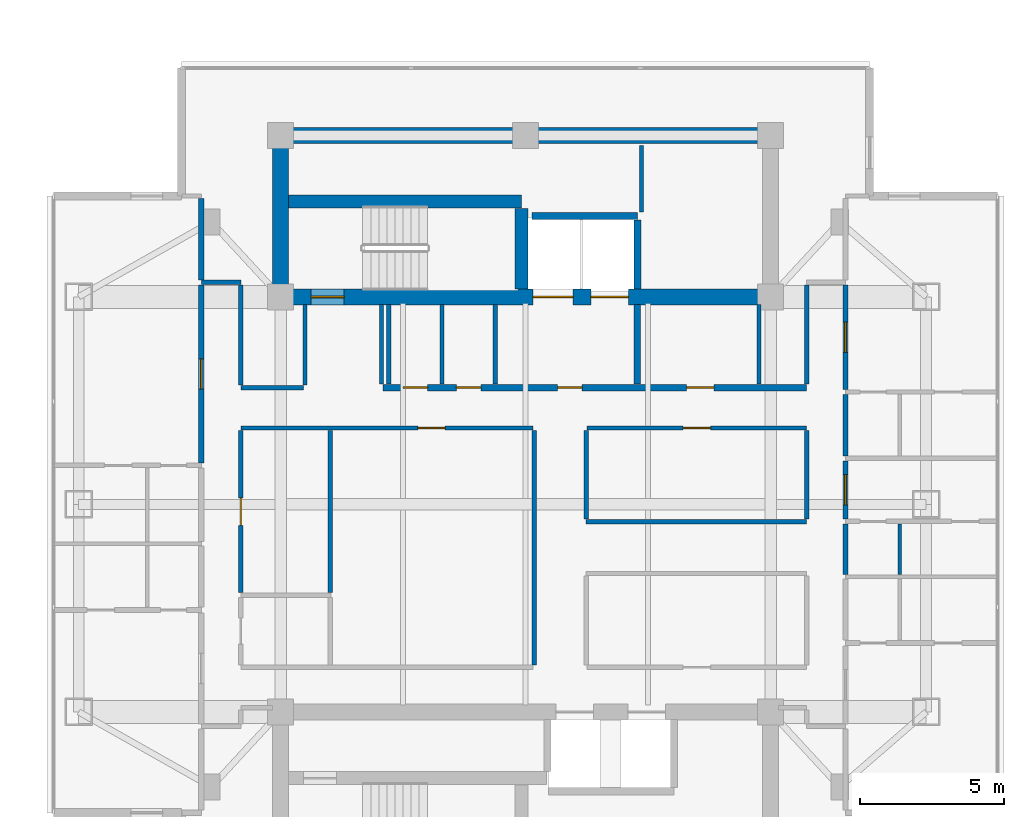
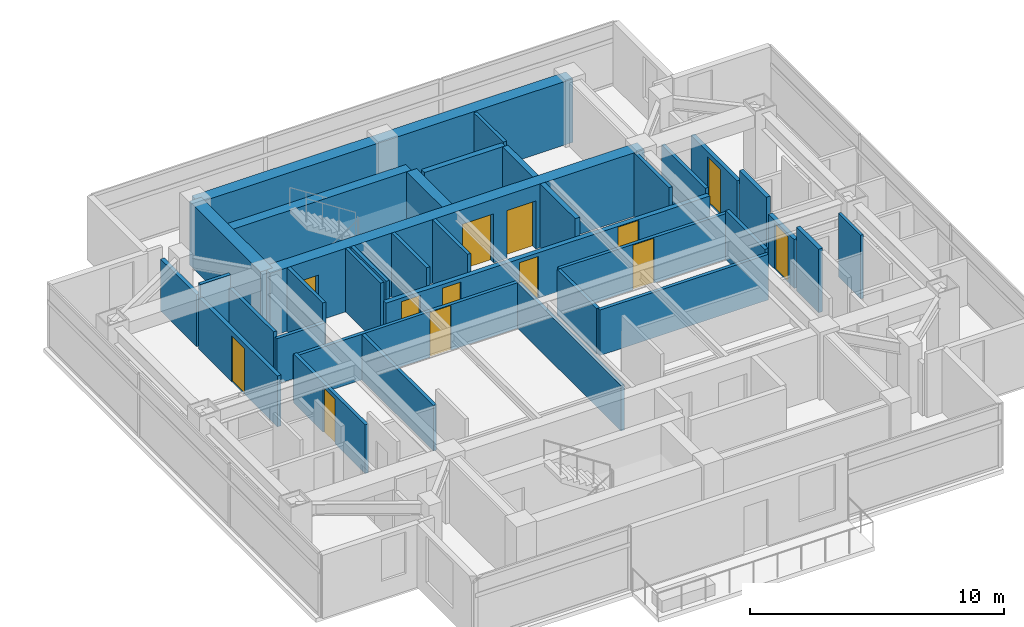
# One storey, part 16 of 23: 35 walls, 13 doors, 13 openings.
"""IFC4 building model written with IfcOpenShell, lengths in metres."""

from ifc_helpers import new_model, si_unit, direction, frame, frame_2d, origin, place, context, subcontext, project, spatial, rectangle, extrude, material, layer, layer_set, type_object, element, fill, save


model = new_model("IFC4")

# Units and contexts
model_context = context("Model", 3, precision=1e-05, world=origin(), true_north=direction((0.0, 1.0)))
body_context = subcontext(model_context, "Body", "Model", "MODEL_VIEW")
ifc_project = project(units=[si_unit("LENGTHUNIT", "METRE"), si_unit("AREAUNIT", "SQUARE_METRE"), si_unit("VOLUMEUNIT", "CUBIC_METRE"), si_unit("PLANEANGLEUNIT", "RADIAN"), si_unit("MASSUNIT", "GRAM", prefix="KILO")], contexts=[model_context])

# Site, building, storey
site_placement = place(None, origin())
site = spatial("IfcSite", under=ifc_project, at=site_placement, CompositionType="ELEMENT")
building_placement = place(site_placement, origin())
building = spatial("IfcBuilding", under=site, at=building_placement, Name="Mirazonda Arch Towers", CompositionType="ELEMENT")
storey_placement = place(building_placement, frame((0.0, 0.0, 183.64990234375)))
storey = spatial("IfcBuildingStorey", under=building, at=storey_placement, Name="L52", CompositionType="ELEMENT", Elevation=183.64990234375)

# Walls
ifc_material_1 = material(Name="Concrete C50/60", Category="concrete")
ifc_layer_1 = layer(ifc_material_1, 0.449951171875, Name="WALL-CORE-450")
ifc_layer_set_1 = layer_set([ifc_layer_1], Name="Concrete C50/60")
wall_type_1 = type_object("IfcWallType", Name="WALL-CORE-450", PredefinedType="SHEAR", material=ifc_layer_set_1)
wall_1_placement = place(storey_placement, frame((68.27001953125, 38.5, 0.0), z_axis=(0.0, 0.0, 1.0), x_axis=(1.0, 0.0, 0.0)))
element("IfcWall", 1, at=wall_1_placement, inside=storey, type_object=wall_type_1, Name="L52 Stair Core Shear Wall 053", PredefinedType="SHEAR", context=body_context, shape_type="SweptSolid", body=[
    extrude(rectangle(XDim=8.090087890625, YDim=0.449951171875, at=frame_2d((4.044921875, 0.0))), origin(), (0.0, 0.0, 1.0), 3.050048828125),
])
wall_2_placement = place(storey_placement, frame((76.360107421875, 35.469970703125, 0.0), z_axis=(0.0, 0.0, 1.0), x_axis=(0.0, 1.0, 0.0)))
element("IfcWall", 2, at=wall_2_placement, inside=storey, type_object=wall_type_1, Name="L52 Stair Core Shear Wall 142", PredefinedType="SHEAR", context=body_context, shape_type="SweptSolid", body=[
    extrude(rectangle(XDim=2.794921875, YDim=0.449951171875, at=frame_2d((1.3974609375, 0.0))), origin(), (0.0, 0.0, 1.0), 3.050048828125),
])
ifc_layer_2 = layer(ifc_material_1, 0.550048828125, Name="WALL-CORE-550")
ifc_layer_set_2 = layer_set([ifc_layer_2], Name="Concrete C50/60")
wall_type_2 = type_object("IfcWallType", Name="WALL-CORE-550", PredefinedType="SHEAR", material=ifc_layer_set_2)
wall_3_placement = place(storey_placement, frame((68.0, 40.800048828125, 0.0), z_axis=(0.0, 0.0, 1.0), x_axis=(1.0, 0.0, 0.0)))
element("IfcWall", 3, at=wall_3_placement, inside=storey, type_object=wall_type_2, Name="L52 T2N-N Core Shear Wall", PredefinedType="SHEAR", context=body_context, shape_type="SweptSolid", body=[
    extrude(rectangle(XDim=17.0, YDim=0.550048828125, at=frame_2d((8.5, 0.0))), origin(), (0.0, 0.0, 1.0), 3.050048828125),
])
wall_4_placement = place(storey_placement, frame((68.0, 35.199951171875, 0.0), z_axis=(0.0, 0.0, 1.0), x_axis=(0.0, 1.0, 0.0)))
element("IfcWall", 4, at=wall_4_placement, inside=storey, type_object=wall_type_2, Name="L52 T2N-W Core Shear Wall", PredefinedType="SHEAR", context=body_context, shape_type="SweptSolid", body=[
    extrude(rectangle(XDim=5.60009765625, YDim=0.550048828125, at=frame_2d((2.800048828125, 0.0))), origin(), (0.0, 0.0, 1.0), 3.050048828125),
])

# Wall, openings, doors
wall_5_placement = place(storey_placement, frame((68.0, 35.199951171875, 0.0), z_axis=(0.0, 0.0, 1.0), x_axis=(1.0, 0.0, 0.0)))
wall_5 = element("IfcWall", 5, at=wall_5_placement, inside=storey, type_object=wall_type_2, Name="L52 T2N-S Core Shear Wall", PredefinedType="SHEAR", context=body_context, shape_type="SweptSolid", body=[
    extrude(rectangle(XDim=17.0, YDim=0.550048828125, at=frame_2d((8.5, 0.0))), origin(), (0.0, 0.0, 1.0), 3.050048828125),
])
opening_1_placement = place(wall_5_placement, frame((1.06005859375, 0.0, 0.0)))
opening_1 = element("IfcOpeningElement", 6, at=opening_1_placement, cuts=wall_5, Name="Opening DR-135", PredefinedType="OPENING", context=body_context, shape_type="SweptSolid", body=[
    extrude(rectangle(XDim=1.14990234375, YDim=2.199951171875, at=frame_2d((0.574951171875, 1.10009765625))), frame((0.0, 0.284912109375, 0.0), z_axis=(0.0, -1.0, 0.0), x_axis=(1.0, 0.0, 0.0)), (0.0, 0.0, 1.0), 0.570068359375),
])
opening_2_placement = place(wall_5_placement, frame((8.75, 0.0, 0.0)))
opening_2 = element("IfcOpeningElement", 7, at=opening_2_placement, cuts=wall_5, Name="Opening LD-112", PredefinedType="OPENING", context=body_context, shape_type="SweptSolid", body=[
    extrude(rectangle(XDim=1.39990234375, YDim=2.35009765625, at=frame_2d((0.699951171875, 1.175048828125))), frame((0.0, 0.284912109375, 0.0), z_axis=(0.0, -1.0, 0.0), x_axis=(1.0, 0.0, 0.0)), (0.0, 0.0, 1.0), 0.570068359375),
])
opening_3_placement = place(wall_5_placement, frame((10.77001953125, 0.0, 0.0)))
opening_3 = element("IfcOpeningElement", 8, at=opening_3_placement, cuts=wall_5, Name="Opening LD-111", PredefinedType="OPENING", context=body_context, shape_type="SweptSolid", body=[
    extrude(rectangle(XDim=1.300048828125, YDim=2.300048828125, at=frame_2d((0.64990234375, 1.14990234375))), frame((0.0, 0.284912109375, 0.0), z_axis=(0.0, -1.0, 0.0), x_axis=(1.0, 0.0, 0.0)), (0.0, 0.0, 1.0), 0.570068359375),
])
ifc_material_2 = material(Name="Architectural Brushed Steel S355", Category="steel")
door_type_1 = type_object("IfcDoorType", Name="DOOR-LIFT-FFL-1400", OperationType="NOTDEFINED", PredefinedType="DOOR", material=ifc_material_2)
door_1_placement = place(opening_2_placement, origin())
door_1 = element("IfcDoor", 9, at=door_1_placement, inside=storey, type_object=door_type_1, Name="L52 Lift Landing Sliding Door FFL-T2", OperationType="DOUBLE_DOOR_SLIDING", OverallHeight=2.35009765625, OverallWidth=1.39990234375, PredefinedType="DOOR", context=body_context, shape_type="SweptSolid", body=[
    extrude(rectangle(XDim=1.39990234375, YDim=2.35009765625, at=frame_2d((0.699951171875, 1.175048828125))), frame((0.0, 0.02490234375, 0.0), z_axis=(0.0, -1.0, 0.0), x_axis=(1.0, 0.0, 0.0)), (0.0, 0.0, 1.0), 0.050048828125),
])
fill(opening_2, door_1)
door_type_2 = type_object("IfcDoorType", Name="DOOR-LIFT-LAND-1300", OperationType="NOTDEFINED", PredefinedType="DOOR", material=ifc_material_2)
door_2_placement = place(opening_3_placement, origin())
door_2 = element("IfcDoor", 10, at=door_2_placement, inside=storey, type_object=door_type_2, Name="L52 Lift Landing Sliding Door SVL-T2", OperationType="DOUBLE_DOOR_SLIDING", OverallHeight=2.300048828125, OverallWidth=1.300048828125, PredefinedType="DOOR", context=body_context, shape_type="SweptSolid", body=[
    extrude(rectangle(XDim=1.300048828125, YDim=2.300048828125, at=frame_2d((0.64990234375, 1.14990234375))), frame((0.0, 0.02490234375, 0.0), z_axis=(0.0, -1.0, 0.0), x_axis=(1.0, 0.0, 0.0)), (0.0, 0.0, 1.0), 0.050048828125),
])
fill(opening_3, door_2)
door_type_3 = type_object("IfcDoorType", Name="DOOR-STAIR-FD90-1150", OperationType="NOTDEFINED", PredefinedType="DOOR", material=ifc_material_2)
door_3_placement = place(opening_1_placement, origin())
door_3 = element("IfcDoor", 11, at=door_3_placement, inside=storey, type_object=door_type_3, Name="L52 East Protected Stair North Door", OperationType="SINGLE_SWING_LEFT", OverallHeight=2.199951171875, OverallWidth=1.14990234375, PredefinedType="DOOR", context=body_context, shape_type="SweptSolid", body=[
    extrude(rectangle(XDim=1.14990234375, YDim=2.199951171875, at=frame_2d((0.574951171875, 1.10009765625))), frame((0.0, 0.02490234375, 0.0), z_axis=(0.0, -1.0, 0.0), x_axis=(1.0, 0.0, 0.0)), (0.0, 0.0, 1.0), 0.050048828125),
])
fill(opening_1, door_3)

ifc_material_3 = material(Name="Concrete C40/50", Category="concrete")
ifc_layer_3 = layer(ifc_material_3, 0.219970703125, Name="WALL-FFL-220")
ifc_layer_set_3 = layer_set([ifc_layer_3], Name="Concrete C40/50")
wall_type_3 = type_object("IfcWallType", Name="WALL-FFL-220", PredefinedType="SOLIDWALL", material=ifc_layer_set_3)
wall_6_placement = place(storey_placement, frame((71.550048828125, 32.050048828125, 0.0), z_axis=(0.0, 0.0, 1.0), x_axis=(1.0, 0.0, 0.0)))
wall_6 = element("IfcWall", 12, at=wall_6_placement, inside=storey, type_object=wall_type_3, Name="L52 Interior Partition 044", PredefinedType="SOLIDWALL", context=body_context, shape_type="SweptSolid", body=[
    extrude(rectangle(XDim=14.699951171875, YDim=0.219970703125, at=frame_2d((7.35009765625, 0.0))), origin(), (0.0, 0.0, 1.0), 2.18603515625),
])
opening_4_placement = place(wall_6_placement, frame((6.06494140625, 0.0, 0.0)))
opening_4 = element("IfcOpeningElement", 13, at=opening_4_placement, cuts=wall_6, Name="Opening DR-128", PredefinedType="OPENING", context=body_context, shape_type="SweptSolid", body=[
    extrude(rectangle(XDim=0.85009765625, YDim=2.010009765625, at=frame_2d((0.425048828125, 1.0048828125))), frame((0.0, 0.119873046875, 0.0), z_axis=(0.0, -1.0, 0.0), x_axis=(1.0, 0.0, 0.0)), (0.0, 0.0, 1.0), 0.239990234375),
])
opening_5_placement = place(wall_6_placement, frame((10.534912109375, 0.0, 0.0)))
opening_5 = element("IfcOpeningElement", 14, at=opening_5_placement, cuts=wall_6, Name="Opening DR-104", PredefinedType="OPENING", context=body_context, shape_type="SweptSolid", body=[
    extrude(rectangle(XDim=0.949951171875, YDim=2.14990234375, at=frame_2d((0.47509765625, 1.074951171875))), frame((0.0, 0.119873046875, 0.0), z_axis=(0.0, -1.0, 0.0), x_axis=(1.0, 0.0, 0.0)), (0.0, 0.0, 1.0), 0.239990234375),
])
opening_6_placement = place(wall_6_placement, frame((0.699951171875, 0.0, 0.0)))
opening_6 = element("IfcOpeningElement", 15, at=opening_6_placement, cuts=wall_6, Name="Opening DR-128", PredefinedType="OPENING", context=body_context, shape_type="SweptSolid", body=[
    extrude(rectangle(XDim=0.85009765625, YDim=2.010009765625, at=frame_2d((0.425048828125, 1.0048828125))), frame((0.0, 0.119873046875, 0.0), z_axis=(0.0, -1.0, 0.0), x_axis=(1.0, 0.0, 0.0)), (0.0, 0.0, 1.0), 0.239990234375),
])
opening_7_placement = place(wall_6_placement, frame((2.550048828125, 0.0, 0.0)))
opening_7 = element("IfcOpeningElement", 16, at=opening_7_placement, cuts=wall_6, Name="Opening DR-128", PredefinedType="OPENING", context=body_context, shape_type="SweptSolid", body=[
    extrude(rectangle(XDim=0.85009765625, YDim=2.010009765625, at=frame_2d((0.425048828125, 1.0048828125))), frame((0.0, 0.119873046875, 0.0), z_axis=(0.0, -1.0, 0.0), x_axis=(1.0, 0.0, 0.0)), (0.0, 0.0, 1.0), 0.239990234375),
])
door_type_4 = type_object("IfcDoorType", Name="DOOR-RISER-FD60-850", OperationType="NOTDEFINED", PredefinedType="DOOR", material=ifc_material_2)
door_4_placement = place(opening_4_placement, origin())
door_4 = element("IfcDoor", 17, at=door_4_placement, inside=storey, type_object=door_type_4, Name="L52 East Firefighting Lift Lobby Door", OperationType="SINGLE_SWING_RIGHT", OverallHeight=2.010009765625, OverallWidth=0.85009765625, PredefinedType="DOOR", context=body_context, shape_type="SweptSolid", body=[
    extrude(rectangle(XDim=0.85009765625, YDim=2.010009765625, at=frame_2d((0.425048828125, 1.0048828125))), frame((0.0, 0.02490234375, 0.0), z_axis=(0.0, -1.0, 0.0), x_axis=(1.0, 0.0, 0.0)), (0.0, 0.0, 1.0), 0.050048828125),
])
fill(opening_4, door_4)
door_5_placement = place(opening_6_placement, origin())
door_5 = element("IfcDoor", 18, at=door_5_placement, inside=storey, type_object=door_type_4, Name="L52 Tower 2 Electrical Room Door", OperationType="SINGLE_SWING_RIGHT", OverallHeight=2.010009765625, OverallWidth=0.85009765625, PredefinedType="DOOR", context=body_context, shape_type="SweptSolid", body=[
    extrude(rectangle(XDim=0.85009765625, YDim=2.010009765625, at=frame_2d((0.425048828125, 1.0048828125))), frame((0.0, 0.02490234375, 0.0), z_axis=(0.0, -1.0, 0.0), x_axis=(1.0, 0.0, 0.0)), (0.0, 0.0, 1.0), 0.050048828125),
])
fill(opening_6, door_5)
door_6_placement = place(opening_7_placement, origin())
door_6 = element("IfcDoor", 19, at=door_6_placement, inside=storey, type_object=door_type_4, Name="L52 Tower 2 Cleaners Store Door", OperationType="SINGLE_SWING_LEFT", OverallHeight=2.010009765625, OverallWidth=0.85009765625, PredefinedType="DOOR", context=body_context, shape_type="SweptSolid", body=[
    extrude(rectangle(XDim=0.85009765625, YDim=2.010009765625, at=frame_2d((0.425048828125, 1.0048828125))), frame((0.0, 0.02490234375, 0.0), z_axis=(0.0, -1.0, 0.0), x_axis=(1.0, 0.0, 0.0)), (0.0, 0.0, 1.0), 0.050048828125),
])
fill(opening_7, door_6)
door_type_5 = type_object("IfcDoorType", Name="DOOR-ROOM-950", OperationType="NOTDEFINED", PredefinedType="DOOR", material=ifc_material_2)
door_7_placement = place(opening_5_placement, origin())
door_7 = element("IfcDoor", 20, at=door_7_placement, inside=storey, type_object=door_type_5, Name="L52 East Sky Reading Library Door", OperationType="SINGLE_SWING_LEFT", OverallHeight=2.14990234375, OverallWidth=0.949951171875, PredefinedType="DOOR", context=body_context, shape_type="SweptSolid", body=[
    extrude(rectangle(XDim=0.949951171875, YDim=2.14990234375, at=frame_2d((0.47509765625, 1.074951171875))), frame((0.0, 0.02490234375, 0.0), z_axis=(0.0, -1.0, 0.0), x_axis=(1.0, 0.0, 0.0)), (0.0, 0.0, 1.0), 0.050048828125),
])
fill(opening_5, door_7)

# Walls
wall_7_placement = place(storey_placement, frame((80.3798828125, 32.169921875, 0.0), z_axis=(0.0, 0.0, 1.0), x_axis=(0.0, 1.0, 0.0)))
element("IfcWall", 21, at=wall_7_placement, inside=storey, type_object=wall_type_3, Name="L52 Interior Partition 147", PredefinedType="SOLIDWALL", context=body_context, shape_type="SweptSolid", body=[
    extrude(rectangle(XDim=2.760009765625, YDim=0.219970703125, at=frame_2d((1.3798828125, 0.0))), origin(), (0.0, 0.0, 1.0), 3.050048828125),
])
ifc_material_4 = material(Name="Fire-Rated Gypsum Stud Partition")
ifc_layer_4 = layer(ifc_material_4, 0.14990234375, Name="WALL-PART-CORR-150")
ifc_layer_set_4 = layer_set([ifc_layer_4], Name="Fire-Rated Gypsum Stud Partition")
wall_type_4 = type_object("IfcWallType", Name="WALL-PART-CORR-150", PredefinedType="PARTITIONING", material=ifc_layer_set_4)
wall_8_placement = place(storey_placement, frame((78.60009765625, 27.39990234375, 0.0), z_axis=(0.0, 0.0, 1.0), x_axis=(1.0, 0.0, 0.0)))
element("IfcWall", 22, at=wall_8_placement, inside=storey, type_object=wall_type_4, Name="L52 Interior Partition 033", PredefinedType="PARTITIONING", context=body_context, shape_type="SweptSolid", body=[
    extrude(rectangle(XDim=7.64990234375, YDim=0.14990234375, at=frame_2d((3.824951171875, 0.0))), origin(), (0.0, 0.0, 1.0), 2.18603515625),
])

# Wall, opening, door
wall_9_placement = place(storey_placement, frame((66.6201171875, 30.64990234375, 0.0), z_axis=(0.0, 0.0, 1.0), x_axis=(1.0, 0.0, 0.0)))
wall_9 = element("IfcWall", 23, at=wall_9_placement, inside=storey, type_object=wall_type_4, Name="L52 Interior Partition 039", PredefinedType="PARTITIONING", context=body_context, shape_type="SweptSolid", body=[
    extrude(rectangle(XDim=10.139892578125, YDim=0.14990234375, at=frame_2d((5.06982421875, 0.0))), origin(), (0.0, 0.0, 1.0), 2.18603515625),
])
opening_8_placement = place(wall_9_placement, frame((6.139892578125, 0.0, 0.0)))
opening_8 = element("IfcOpeningElement", 24, at=opening_8_placement, cuts=wall_9, Name="Opening DR-104", PredefinedType="OPENING", context=body_context, shape_type="SweptSolid", body=[
    extrude(rectangle(XDim=0.949951171875, YDim=2.14990234375, at=frame_2d((0.47509765625, 1.074951171875))), frame((0.0, 0.0849609375, 0.0), z_axis=(0.0, -1.0, 0.0), x_axis=(1.0, 0.0, 0.0)), (0.0, 0.0, 1.0), 0.169921875),
])
door_8_placement = place(opening_8_placement, origin())
door_8 = element("IfcDoor", 25, at=door_8_placement, inside=storey, type_object=door_type_5, Name="L52 L52 East Courtyard Study Door", OperationType="SINGLE_SWING_RIGHT", OverallHeight=2.14990234375, OverallWidth=0.949951171875, PredefinedType="DOOR", context=body_context, shape_type="SweptSolid", body=[
    extrude(rectangle(XDim=0.949951171875, YDim=2.14990234375, at=frame_2d((0.47509765625, 1.074951171875))), frame((0.0, 0.02490234375, 0.0), z_axis=(0.0, -1.0, 0.0), x_axis=(1.0, 0.0, 0.0)), (0.0, 0.0, 1.0), 0.050048828125),
])
fill(opening_8, door_8)

wall_10_placement = place(storey_placement, frame((78.639892578125, 30.64990234375, 0.0), z_axis=(0.0, 0.0, 1.0), x_axis=(1.0, 0.0, 0.0)))
wall_10 = element("IfcWall", 26, at=wall_10_placement, inside=storey, type_object=wall_type_4, Name="L52 Interior Partition 040", PredefinedType="PARTITIONING", context=body_context, shape_type="SweptSolid", body=[
    extrude(rectangle(XDim=7.610107421875, YDim=0.14990234375, at=frame_2d((3.80517578125, 0.0))), origin(), (0.0, 0.0, 1.0), 2.18603515625),
])
opening_9_placement = place(wall_10_placement, frame((3.330078125, 0.0, 0.0)))
opening_9 = element("IfcOpeningElement", 27, at=opening_9_placement, cuts=wall_10, Name="Opening DR-104", PredefinedType="OPENING", context=body_context, shape_type="SweptSolid", body=[
    extrude(rectangle(XDim=0.949951171875, YDim=2.14990234375, at=frame_2d((0.47509765625, 1.074951171875))), frame((0.0, 0.0849609375, 0.0), z_axis=(0.0, -1.0, 0.0), x_axis=(1.0, 0.0, 0.0)), (0.0, 0.0, 1.0), 0.169921875),
])
door_9_placement = place(opening_9_placement, origin())
door_9 = element("IfcDoor", 28, at=door_9_placement, inside=storey, type_object=door_type_5, Name="L52 L52 Tower 2 North-East Study Door", OperationType="SINGLE_SWING_RIGHT", OverallHeight=2.14990234375, OverallWidth=0.949951171875, PredefinedType="DOOR", context=body_context, shape_type="SweptSolid", body=[
    extrude(rectangle(XDim=0.949951171875, YDim=2.14990234375, at=frame_2d((0.47509765625, 1.074951171875))), frame((0.0, 0.02490234375, 0.0), z_axis=(0.0, -1.0, 0.0), x_axis=(1.0, 0.0, 0.0)), (0.0, 0.0, 1.0), 0.050048828125),
])
fill(opening_9, door_9)

# Walls
wall_11_placement = place(storey_placement, frame((66.6201171875, 32.050048828125, 0.0), z_axis=(0.0, 0.0, 1.0), x_axis=(1.0, 0.0, 0.0)))
element("IfcWall", 29, at=wall_11_placement, inside=storey, type_object=wall_type_4, Name="L52 Interior Partition 043", PredefinedType="PARTITIONING", context=body_context, shape_type="SweptSolid", body=[
    extrude(rectangle(XDim=2.179931640625, YDim=0.14990234375, at=frame_2d((1.08984375, 0.0))), origin(), (0.0, 0.0, 1.0), 2.18603515625),
])
wall_12_placement = place(storey_placement, frame((65.25, 35.699951171875, 0.0), z_axis=(0.0, 0.0, 1.0), x_axis=(1.0, 0.0, 0.0)))
element("IfcWall", 30, at=wall_12_placement, inside=storey, type_object=wall_type_4, Name="L52 Interior Partition 050", PredefinedType="PARTITIONING", context=body_context, shape_type="SweptSolid", body=[
    extrude(rectangle(XDim=1.3701171875, YDim=0.14990234375, at=frame_2d((0.68505859375, 0.0))), origin(), (0.0, 0.0, 1.0), 3.050048828125),
])

# Wall, opening, door
wall_13_placement = place(storey_placement, frame((66.6201171875, 24.93505859375, 0.0), z_axis=(0.0, 0.0, 1.0), x_axis=(0.0, 1.0, 0.0)))
wall_13 = element("IfcWall", 31, at=wall_13_placement, inside=storey, type_object=wall_type_4, Name="L52 Interior Partition 132", PredefinedType="PARTITIONING", context=body_context, shape_type="SweptSolid", body=[
    extrude(rectangle(XDim=5.6298828125, YDim=0.14990234375, at=frame_2d((2.81494140625, 0.0))), origin(), (0.0, 0.0, 1.0), 2.34619140625),
])
opening_10_placement = place(wall_13_placement, frame((2.340087890625, 0.0, 0.0)))
opening_10 = element("IfcOpeningElement", 32, at=opening_10_placement, cuts=wall_13, Name="Opening DR-104", PredefinedType="OPENING", context=body_context, shape_type="SweptSolid", body=[
    extrude(rectangle(XDim=0.949951171875, YDim=2.14990234375, at=frame_2d((0.47509765625, 1.074951171875))), frame((0.0, 0.0849609375, 0.0), z_axis=(0.0, -1.0, 0.0), x_axis=(1.0, 0.0, 0.0)), (0.0, 0.0, 1.0), 0.169921875),
])
door_10_placement = place(opening_10_placement, origin())
door_10 = element("IfcDoor", 33, at=door_10_placement, inside=storey, type_object=door_type_5, Name="L52 L52 East Courtyard Reading Study Door", OperationType="SINGLE_SWING_LEFT", OverallHeight=2.14990234375, OverallWidth=0.949951171875, PredefinedType="DOOR", context=body_context, shape_type="SweptSolid", body=[
    extrude(rectangle(XDim=0.949951171875, YDim=2.14990234375, at=frame_2d((0.47509765625, 1.074951171875))), frame((0.0, 0.02490234375, 0.0), z_axis=(0.0, -1.0, 0.0), x_axis=(1.0, 0.0, 0.0)), (0.0, 0.0, 1.0), 0.050048828125),
])
fill(opening_10, door_10)

# Walls
wall_14_placement = place(storey_placement, frame((66.6201171875, 32.135009765625, 0.0), z_axis=(0.0, 0.0, 1.0), x_axis=(0.0, 1.0, 0.0)))
element("IfcWall", 34, at=wall_14_placement, inside=storey, type_object=wall_type_4, Name="L52 Interior Partition 133", PredefinedType="PARTITIONING", context=body_context, shape_type="SweptSolid", body=[
    extrude(rectangle(XDim=3.47998046875, YDim=0.14990234375, at=frame_2d((1.739990234375, 0.0))), origin(), (0.0, 0.0, 1.0), 2.442138671875),
])
wall_15_placement = place(storey_placement, frame((68.85009765625, 32.135009765625, 0.0), z_axis=(0.0, 0.0, 1.0), x_axis=(0.0, 1.0, 0.0)))
element("IfcWall", 35, at=wall_15_placement, inside=storey, type_object=wall_type_4, Name="L52 Interior Partition 134", PredefinedType="PARTITIONING", context=body_context, shape_type="SweptSolid", body=[
    extrude(rectangle(XDim=2.794921875, YDim=0.14990234375, at=frame_2d((1.3974609375, 0.0))), origin(), (0.0, 0.0, 1.0), 3.050048828125),
])
wall_16_placement = place(storey_placement, frame((69.723388671875, 24.93505859375, 0.0), z_axis=(0.0, 0.0, 1.0), x_axis=(0.0, 1.0, 0.0)))
element("IfcWall", 36, at=wall_16_placement, inside=storey, type_object=wall_type_4, Name="L52 Interior Partition 136", PredefinedType="PARTITIONING", context=body_context, shape_type="SweptSolid", body=[
    extrude(rectangle(XDim=5.6298828125, YDim=0.14990234375, at=frame_2d((2.81494140625, 0.0))), origin(), (0.0, 0.0, 1.0), 2.18603515625),
])
for number, where, z_axis, x_axis, name in (
    (37, (71.5, 32.169921875, 0.0), (0.0, 0.0, 1.0), (0.0, 1.0, 0.0), "L52 Interior Partition 137"),
    (38, (71.75, 32.169921875, 0.0), (0.0, 0.0, 1.0), (0.0, 1.0, 0.0), "L52 Interior Partition 138"),
    (39, (73.60009765625, 32.169921875, 0.0), (0.0, 0.0, 1.0), (0.0, 1.0, 0.0), "L52 Interior Partition 139"),
    (40, (75.449951171875, 32.169921875, 0.0), (0.0, 0.0, 1.0), (0.0, 1.0, 0.0), "L52 Interior Partition 140"),
):
    element("IfcWall", number, at=place(storey_placement, frame(where, z_axis=z_axis, x_axis=x_axis)), inside=storey, type_object=wall_type_4, Name=name, PredefinedType="PARTITIONING", context=body_context, shape_type="SweptSolid", body=[
        extrude(rectangle(XDim=2.760009765625, YDim=0.14990234375, at=frame_2d((1.3798828125, 0.0))), origin(), (0.0, 0.0, 1.0), 3.050048828125),
    ])
wall_17_placement = place(storey_placement, frame((76.800048828125, 22.43505859375, 0.0), z_axis=(0.0, 0.0, 1.0), x_axis=(0.0, 1.0, 0.0)))
element("IfcWall", 41, at=wall_17_placement, inside=storey, type_object=wall_type_4, Name="L52 Interior Partition 143", PredefinedType="PARTITIONING", context=body_context, shape_type="SweptSolid", body=[
    extrude(rectangle(XDim=8.1298828125, YDim=0.14990234375, at=frame_2d((4.06494140625, 0.0))), origin(), (0.0, 0.0, 1.0), 2.18603515625),
])
wall_18_placement = place(storey_placement, frame((78.60009765625, 27.485107421875, 0.0), z_axis=(0.0, 0.0, 1.0), x_axis=(0.0, 1.0, 0.0)))
element("IfcWall", 42, at=wall_18_placement, inside=storey, type_object=wall_type_4, Name="L52 Interior Partition 146", PredefinedType="PARTITIONING", context=body_context, shape_type="SweptSolid", body=[
    extrude(rectangle(XDim=3.079833984375, YDim=0.14990234375, at=frame_2d((1.5400390625, 0.0))), origin(), (0.0, 0.0, 1.0), 2.18603515625),
])
wall_19_placement = place(storey_placement, frame((80.52001953125, 38.135009765625, 0.0), z_axis=(0.0, 0.0, 1.0), x_axis=(0.0, 1.0, 0.0)))
element("IfcWall", 43, at=wall_19_placement, inside=storey, type_object=wall_type_4, Name="L52 Interior Partition 149", PredefinedType="PARTITIONING", context=body_context, shape_type="SweptSolid", body=[
    extrude(rectangle(XDim=2.31494140625, YDim=0.14990234375, at=frame_2d((1.157470703125, 0.0))), origin(), (0.0, 0.0, 1.0), 3.050048828125),
])
wall_20_placement = place(storey_placement, frame((84.60009765625, 32.169921875, 0.0), z_axis=(0.0, 0.0, 1.0), x_axis=(0.0, 1.0, 0.0)))
element("IfcWall", 44, at=wall_20_placement, inside=storey, type_object=wall_type_4, Name="L52 Interior Partition 151", PredefinedType="PARTITIONING", context=body_context, shape_type="SweptSolid", body=[
    extrude(rectangle(XDim=2.760009765625, YDim=0.14990234375, at=frame_2d((1.3798828125, 0.0))), origin(), (0.0, 0.0, 1.0), 3.050048828125),
])
wall_21_placement = place(storey_placement, frame((86.25, 27.485107421875, 0.0), z_axis=(0.0, 0.0, 1.0), x_axis=(0.0, 1.0, 0.0)))
element("IfcWall", 45, at=wall_21_placement, inside=storey, type_object=wall_type_4, Name="L52 Interior Partition 154", PredefinedType="PARTITIONING", context=body_context, shape_type="SweptSolid", body=[
    extrude(rectangle(XDim=3.079833984375, YDim=0.14990234375, at=frame_2d((1.5400390625, 0.0))), origin(), (0.0, 0.0, 1.0), 2.34619140625),
])
wall_22_placement = place(storey_placement, frame((86.25, 32.169921875, 0.0), z_axis=(0.0, 0.0, 1.0), x_axis=(0.0, 1.0, 0.0)))
element("IfcWall", 46, at=wall_22_placement, inside=storey, type_object=wall_type_4, Name="L52 Interior Partition 155", PredefinedType="PARTITIONING", context=body_context, shape_type="SweptSolid", body=[
    extrude(rectangle(XDim=3.445068359375, YDim=0.14990234375, at=frame_2d((1.72265625, 0.0))), origin(), (0.0, 0.0, 1.0), 2.442138671875),
])

# Wall, opening, door
ifc_material_5 = material(Name="Fire-Rated Gypsum Twin-Stud Assembly")
ifc_layer_5 = layer(ifc_material_5, 0.179931640625, Name="WALL-PART-DEMISE-180")
ifc_layer_set_5 = layer_set([ifc_layer_5], Name="Fire-Rated Gypsum Twin-Stud Assembly")
wall_type_5 = type_object("IfcWallType", Name="WALL-PART-DEMISE-180", PredefinedType="PARTITIONING", material=ifc_layer_set_5)
wall_23_placement = place(storey_placement, frame((65.25, 29.43701171875, 0.0), z_axis=(0.0, 0.0, 1.0), x_axis=(0.0, 1.0, 0.0)))
wall_23 = element("IfcWall", 47, at=wall_23_placement, inside=storey, type_object=wall_type_5, Name="L52 Interior Partition 128", PredefinedType="PARTITIONING", context=body_context, shape_type="SweptSolid", body=[
    extrude(rectangle(XDim=6.177978515625, YDim=0.179931640625, at=frame_2d((3.0888671875, 0.0))), origin(), (0.0, 0.0, 1.0), 2.442138671875),
])
opening_11_placement = place(wall_23_placement, frame((2.56396484375, 0.0, 0.0)))
opening_11 = element("IfcOpeningElement", 48, at=opening_11_placement, cuts=wall_23, Name="Opening DR-121", PredefinedType="OPENING", context=body_context, shape_type="SweptSolid", body=[
    extrude(rectangle(XDim=1.050048828125, YDim=2.199951171875, at=frame_2d((0.52490234375, 1.10009765625))), frame((0.0, 0.099853515625, 0.0), z_axis=(0.0, -1.0, 0.0), x_axis=(1.0, 0.0, 0.0)), (0.0, 0.0, 1.0), 0.199951171875),
])
door_type_6 = type_object("IfcDoorType", Name="DOOR-SUITE-FD60-1050", OperationType="NOTDEFINED", PredefinedType="DOOR", material=ifc_material_2)
door_11_placement = place(opening_11_placement, origin())
door_11 = element("IfcDoor", 49, at=door_11_placement, inside=storey, type_object=door_type_6, Name="L52 Studio Apartment 2 Living Salon Door", OperationType="SINGLE_SWING_LEFT", OverallHeight=2.199951171875, OverallWidth=1.050048828125, PredefinedType="DOOR", context=body_context, shape_type="SweptSolid", body=[
    extrude(rectangle(XDim=1.050048828125, YDim=2.199951171875, at=frame_2d((0.52490234375, 1.10009765625))), frame((0.0, 0.02490234375, 0.0), z_axis=(0.0, -1.0, 0.0), x_axis=(1.0, 0.0, 0.0)), (0.0, 0.0, 1.0), 0.050048828125),
])
fill(opening_11, door_11)

# Walls
wall_24_placement = place(storey_placement, frame((65.25, 35.784912109375, 0.0), z_axis=(0.0, 0.0, 1.0), x_axis=(0.0, 1.0, 0.0)))
element("IfcWall", 50, at=wall_24_placement, inside=storey, type_object=wall_type_5, Name="L52 Interior Partition 129", PredefinedType="PARTITIONING", context=body_context, shape_type="SweptSolid", body=[
    extrude(rectangle(XDim=2.8291015625, YDim=0.179931640625, at=frame_2d((1.41455078125, 0.0))), origin(), (0.0, 0.0, 1.0), 2.4931640625),
])
wall_25_placement = place(storey_placement, frame((87.60009765625, 25.564453125, 0.0), z_axis=(0.0, 0.0, 1.0), x_axis=(0.0, 1.0, 0.0)))
element("IfcWall", 51, at=wall_25_placement, inside=storey, type_object=wall_type_5, Name="L52 Interior Partition 159", PredefinedType="PARTITIONING", context=body_context, shape_type="SweptSolid", body=[
    extrude(rectangle(XDim=1.762451171875, YDim=0.179931640625, at=frame_2d((0.88134765625, 0.0))), origin(), (0.0, 0.0, 1.0), 3.050048828125),
])

# Wall, opening, door
wall_26_placement = place(storey_placement, frame((87.60009765625, 27.4970703125, 0.0), z_axis=(0.0, 0.0, 1.0), x_axis=(0.0, 1.0, 0.0)))
wall_26 = element("IfcWall", 52, at=wall_26_placement, inside=storey, type_object=wall_type_5, Name="L52 Interior Partition 160", PredefinedType="PARTITIONING", context=body_context, shape_type="SweptSolid", body=[
    extrude(rectangle(XDim=2.013916015625, YDim=0.179931640625, at=frame_2d((1.0068359375, 0.0))), origin(), (0.0, 0.0, 1.0), 2.34619140625),
])
opening_12_placement = place(wall_26_placement, frame((0.48193359375, 0.0, 0.0)))
opening_12 = element("IfcOpeningElement", 53, at=opening_12_placement, cuts=wall_26, Name="Opening DR-121", PredefinedType="OPENING", context=body_context, shape_type="SweptSolid", body=[
    extrude(rectangle(XDim=1.050048828125, YDim=2.199951171875, at=frame_2d((0.52490234375, 1.10009765625))), frame((0.0, 0.099853515625, 0.0), z_axis=(0.0, -1.0, 0.0), x_axis=(1.0, 0.0, 0.0)), (0.0, 0.0, 1.0), 0.199951171875),
])
door_12_placement = place(opening_12_placement, origin())
door_12 = element("IfcDoor", 54, at=door_12_placement, inside=storey, type_object=door_type_6, Name="L52 Studio Apartment 2 Living Salon Door", OperationType="SINGLE_SWING_LEFT", OverallHeight=2.199951171875, OverallWidth=1.050048828125, PredefinedType="DOOR", context=body_context, shape_type="SweptSolid", body=[
    extrude(rectangle(XDim=1.050048828125, YDim=2.199951171875, at=frame_2d((0.52490234375, 1.10009765625))), frame((0.0, 0.02490234375, 0.0), z_axis=(0.0, -1.0, 0.0), x_axis=(1.0, 0.0, 0.0)), (0.0, 0.0, 1.0), 0.050048828125),
])
fill(opening_12, door_12)

# Wall
wall_27_placement = place(storey_placement, frame((87.60009765625, 29.680908203125, 0.0), z_axis=(0.0, 0.0, 1.0), x_axis=(0.0, 1.0, 0.0)))
element("IfcWall", 55, at=wall_27_placement, inside=storey, type_object=wall_type_5, Name="L52 Interior Partition 161", PredefinedType="PARTITIONING", context=body_context, shape_type="SweptSolid", body=[
    extrude(rectangle(XDim=2.130126953125, YDim=0.179931640625, at=frame_2d((1.06494140625, 0.0))), origin(), (0.0, 0.0, 1.0), 3.050048828125),
])

# Wall, opening, door
wall_28_placement = place(storey_placement, frame((87.60009765625, 31.98095703125, 0.0), z_axis=(0.0, 0.0, 1.0), x_axis=(0.0, 1.0, 0.0)))
wall_28 = element("IfcWall", 56, at=wall_28_placement, inside=storey, type_object=wall_type_5, Name="L52 Interior Partition 162", PredefinedType="PARTITIONING", context=body_context, shape_type="SweptSolid", body=[
    extrude(rectangle(XDim=3.634033203125, YDim=0.179931640625, at=frame_2d((1.81689453125, 0.0))), origin(), (0.0, 0.0, 1.0), 2.442138671875),
])
opening_13_placement = place(wall_28_placement, frame((1.2919921875, 0.0, 0.0)))
opening_13 = element("IfcOpeningElement", 57, at=opening_13_placement, cuts=wall_28, Name="Opening DR-121", PredefinedType="OPENING", context=body_context, shape_type="SweptSolid", body=[
    extrude(rectangle(XDim=1.050048828125, YDim=2.199951171875, at=frame_2d((0.52490234375, 1.10009765625))), frame((0.0, 0.099853515625, 0.0), z_axis=(0.0, -1.0, 0.0), x_axis=(1.0, 0.0, 0.0)), (0.0, 0.0, 1.0), 0.199951171875),
])
door_13_placement = place(opening_13_placement, origin())
door_13 = element("IfcDoor", 58, at=door_13_placement, inside=storey, type_object=door_type_6, Name="L52 Studio Apartment 3 Living Salon Door", OperationType="SINGLE_SWING_RIGHT", OverallHeight=2.199951171875, OverallWidth=1.050048828125, PredefinedType="DOOR", context=body_context, shape_type="SweptSolid", body=[
    extrude(rectangle(XDim=1.050048828125, YDim=2.199951171875, at=frame_2d((0.52490234375, 1.10009765625))), frame((0.0, 0.02490234375, 0.0), z_axis=(0.0, -1.0, 0.0), x_axis=(1.0, 0.0, 0.0)), (0.0, 0.0, 1.0), 0.050048828125),
])
fill(opening_13, door_13)

# Walls
ifc_material_6 = material(Name="Acoustic Fire-Rated Gypsum Partition")
ifc_layer_6 = layer(ifc_material_6, 0.125, Name="WALL-PART-UNIT-125")
ifc_layer_set_6 = layer_set([ifc_layer_6], Name="Acoustic Fire-Rated Gypsum Partition")
wall_type_6 = type_object("IfcWallType", Name="WALL-PART-UNIT-125", PredefinedType="PARTITIONING", material=ifc_layer_set_6)
wall_29_placement = place(storey_placement, frame((89.47998046875, 25.564453125, 0.0), z_axis=(0.0, 0.0, 1.0), x_axis=(0.0, 1.0, 0.0)))
element("IfcWall", 59, at=wall_29_placement, inside=storey, type_object=wall_type_6, Name="L52 Interior Partition 165", PredefinedType="PARTITIONING", context=body_context, shape_type="SweptSolid", body=[
    extrude(rectangle(XDim=1.762451171875, YDim=0.125, at=frame_2d((0.88134765625, 0.0))), origin(), (0.0, 0.0, 1.0), 3.050048828125),
])
ifc_layer_7 = layer(ifc_material_3, 0.25, Name="WALL-SHAFT-250")
ifc_layer_set_7 = layer_set([ifc_layer_7], Name="Concrete C40/50")
wall_type_7 = type_object("IfcWallType", Name="WALL-SHAFT-250", PredefinedType="SOLIDWALL", material=ifc_layer_set_7)
wall_30_placement = place(storey_placement, frame((76.719970703125, 38.0, 0.0), z_axis=(0.0, 0.0, 1.0), x_axis=(1.0, 0.0, 0.0)))
element("IfcWall", 60, at=wall_30_placement, inside=storey, type_object=wall_type_7, Name="L52 Interior Partition 052", PredefinedType="SOLIDWALL", context=body_context, shape_type="SweptSolid", body=[
    extrude(rectangle(XDim=3.659912109375, YDim=0.25, at=frame_2d((1.830078125, 0.0))), origin(), (0.0, 0.0, 1.0), 3.050048828125),
])
wall_31_placement = place(storey_placement, frame((80.3798828125, 35.469970703125, 0.0), z_axis=(0.0, 0.0, 1.0), x_axis=(0.0, 1.0, 0.0)))
element("IfcWall", 61, at=wall_31_placement, inside=storey, type_object=wall_type_7, Name="L52 Interior Partition 148", PredefinedType="SOLIDWALL", context=body_context, shape_type="SweptSolid", body=[
    extrude(rectangle(XDim=2.39501953125, YDim=0.25, at=frame_2d((1.197509765625, 0.0))), origin(), (0.0, 0.0, 1.0), 3.050048828125),
])

save(model, "model.ifc")
